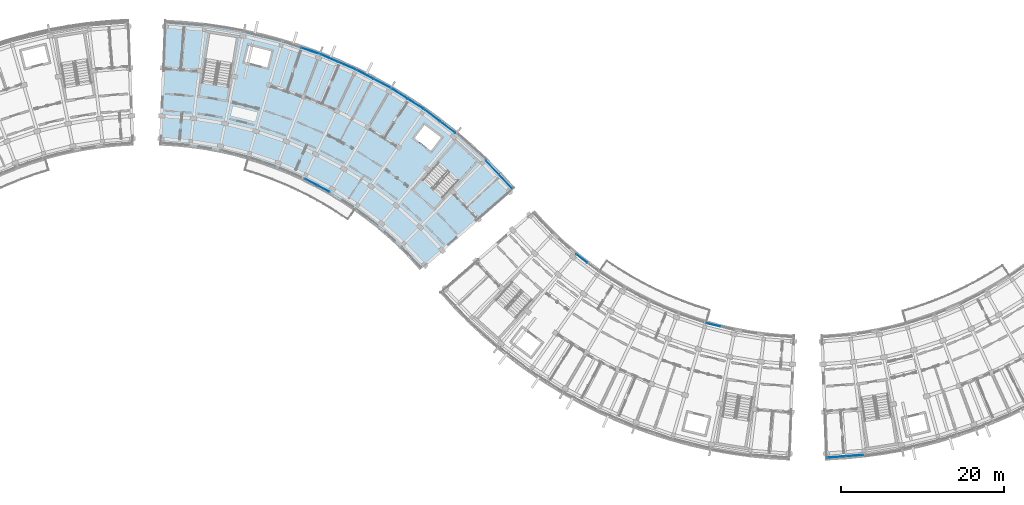
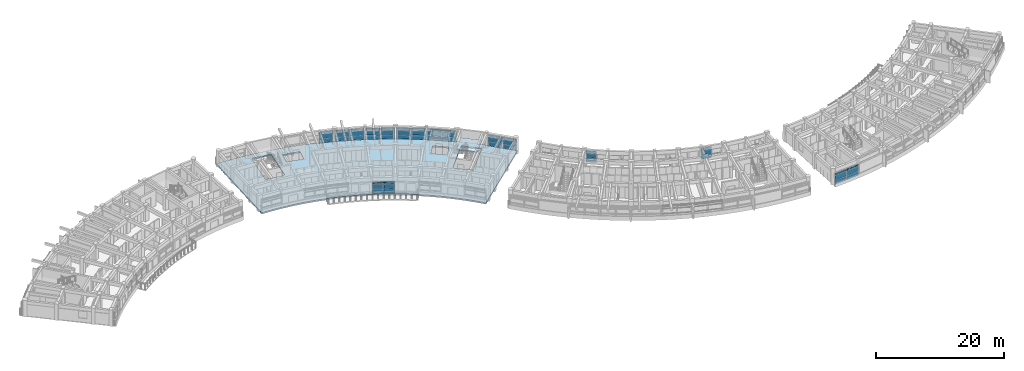
# One storey, part 24 of 56: 51 plates, 2 slabs, 11 elements without a shape of their own.
"""IFC4 building model written with IfcOpenShell, lengths in metres."""

import ifcopenshell
import ifcopenshell.guid

model = None  # the IFC model being written
_history = None  # IfcOwnerHistory: only IFC2X3 demands one
_inside = {}  # id of a spatial element -> (the spatial element, [elements in it])
_under = {}  # id of a project, library or spatial element -> (it, [spatial elements below it])
_declared = {}  # id of a project -> (the project, [libraries it declares])
_typed = {}  # id of a type object -> (the type object, [elements of that type])
_made_of = {}  # id of a material, layer set ... -> (it, [elements and type objects made of it])


def new_model(schema):
    """Start an empty IFC model of exactly this schema.

    Asked for "IFC4X3", IfcOpenShell would pick the latest addendum, in which some entities
    have other attributes; the version numbers below select the first issue.
    IFC2X3 requires an IfcOwnerHistory on every rooted entity: one is made here for all.
    """
    global model, _history
    if schema == "IFC4X3":
        model = ifcopenshell.file(schema_version=(4, 3, 0, 0))
    else:
        model = ifcopenshell.file(schema=schema)
    _inside.clear()
    _under.clear()
    _declared.clear()
    _typed.clear()
    _made_of.clear()
    _history = None
    if model.schema == "IFC2X3":
        org = make("IfcOrganization", Name="unknown")
        user = make(
            "IfcPersonAndOrganization",
            ThePerson=make("IfcPerson", FamilyName="unknown"),
            TheOrganization=org,
        )
        app = make(
            "IfcApplication",
            ApplicationDeveloper=org,
            Version="unknown",
            ApplicationFullName="unknown",
            ApplicationIdentifier="unknown",
        )
        _history = make(
            "IfcOwnerHistory",
            OwningUser=user,
            OwningApplication=app,
            ChangeAction="ADDED",
            CreationDate=0,
        )
    return model


def make(cls, **values):
    """One entity of the class cls with the attributes given. An attribute that is None is left unset."""
    return model.create_entity(
        cls, **{name: value for name, value in values.items() if value is not None}
    )


def rooted(cls, **values):
    """An entity with a GlobalId (a new one), such as an element, a storey or a relation."""
    return make(cls, GlobalId=ifcopenshell.guid.new(), OwnerHistory=_history, **values)


def si_unit(unit_type, name, prefix=None):
    """IfcSIUnit, for example si_unit("LENGTHUNIT", "METRE", prefix="MILLI")."""
    return make("IfcSIUnit", UnitType=unit_type, Prefix=prefix, Name=name)


def assignment(units):
    """IfcUnitAssignment: the units of a project."""
    return None if units is None else make("IfcUnitAssignment", Units=units)


def point(xyz):
    """IfcCartesianPoint."""
    return None if xyz is None else make("IfcCartesianPoint", Coordinates=xyz)


def direction(xyz):
    """IfcDirection."""
    return None if xyz is None else make("IfcDirection", DirectionRatios=xyz)


def frame(location, z_axis=None, x_axis=None):
    """IfcAxis2Placement3D, a coordinate frame: its origin and axes. An axis left out is left unset."""
    return make(
        "IfcAxis2Placement3D",
        Location=point(location),
        Axis=direction(z_axis),
        RefDirection=direction(x_axis),
    )


def frame_2d(location, x_axis=None):
    """IfcAxis2Placement2D, a coordinate frame in the plane: its origin and x axis."""
    return make(
        "IfcAxis2Placement2D", Location=point(location), RefDirection=direction(x_axis)
    )


def origin():
    """The frame at (0, 0, 0) with its axes left unset."""
    return frame((0.0, 0.0, 0.0))


def origin_2d():
    """The frame at (0, 0) in the plane with its x axis left unset."""
    return frame_2d((0.0, 0.0))


def place(relative_to, where):
    """IfcLocalPlacement: puts the frame where relative to a parent placement (None: the world)."""
    return make(
        "IfcLocalPlacement", PlacementRelTo=relative_to, RelativePlacement=where
    )


def context(
    kind, dimensions, precision=None, world=None, true_north=None, identifier=None
):
    """IfcGeometricRepresentationContext, for example the 3D "Model" context."""
    return make(
        "IfcGeometricRepresentationContext",
        ContextIdentifier=identifier,
        ContextType=kind,
        CoordinateSpaceDimension=dimensions,
        Precision=precision,
        WorldCoordinateSystem=world,
        TrueNorth=true_north,
    )


def subcontext(parent, identifier, kind, view, scale=None):
    """IfcGeometricRepresentationSubContext, for example "Body" below "Model"."""
    return make(
        "IfcGeometricRepresentationSubContext",
        ContextIdentifier=identifier,
        ContextType=kind,
        ParentContext=parent,
        TargetScale=scale,
        TargetView=view,
    )


def project(units=None, contexts=None):
    """IfcProject with its units and contexts."""
    return rooted(
        "IfcProject",
        Name="project",
        RepresentationContexts=contexts,
        UnitsInContext=assignment(units),
    )


def spatial(cls, under=None, at=None, **own):
    """A site, building, storey or space (cls), placed at a placement, below another one or the project."""
    s = rooted(cls, ObjectPlacement=at, **own)
    if under is not None:
        _under.setdefault(under.id(), (under, []))[1].append(s)
    return s


def polyline(points):
    """IfcPolyline through the points."""
    return make("IfcPolyline", Points=[point(p) for p in points])


def profile(cls, at=None, kind="AREA", **sizes):
    """A parametric profile (cls). Its sizes go by their IFC names, for example OverallWidth=200.0."""
    return make(cls, ProfileType=kind, Position=at, **sizes)


def rectangle(**sizes):
    """IfcRectangleProfileDef."""
    return profile("IfcRectangleProfileDef", **sizes)


def outline(outer, holes=None, kind="AREA"):
    """IfcArbitraryClosedProfileDef: a profile drawn as a closed curve; with holes, ...WithVoids."""
    if holes is None:
        return make("IfcArbitraryClosedProfileDef", ProfileType=kind, OuterCurve=outer)
    return make(
        "IfcArbitraryProfileDefWithVoids",
        ProfileType=kind,
        OuterCurve=outer,
        InnerCurves=holes,
    )


def extrude(swept, where, along, depth):
    """IfcExtrudedAreaSolid: the profile swept, set in the frame where, extruded along a direction by depth."""
    return make(
        "IfcExtrudedAreaSolid",
        SweptArea=swept,
        Position=where,
        ExtrudedDirection=direction(along),
        Depth=depth,
    )


def shape(context_of_items, identifier, shape_type, items):
    """IfcShapeRepresentation: the items that make up one representation, for example the "Body"."""
    return make(
        "IfcShapeRepresentation",
        ContextOfItems=context_of_items,
        RepresentationIdentifier=identifier,
        RepresentationType=shape_type,
        Items=items,
    )


def material(Name=None, Category=None):
    """IfcMaterial."""
    return make("IfcMaterial", Name=Name, Category=Category)


def layer(
    of_material, thickness, ventilated=None, Name=None, Category=None, Priority=None
):
    """IfcMaterialLayer: one layer of a wall or slab, of a material (None: an air gap)."""
    return make(
        "IfcMaterialLayer",
        Material=of_material,
        LayerThickness=thickness,
        IsVentilated=ventilated,
        Name=Name,
        Category=Category,
        Priority=Priority,
    )


def layer_set(layers, Name=None):
    """IfcMaterialLayerSet."""
    return make("IfcMaterialLayerSet", MaterialLayers=layers, LayerSetName=Name)


def made_of(thing, what):
    """Note that an element or type object is made of a material, layer set ...; save() writes the relation."""
    if what is not None:
        _made_of.setdefault(what.id(), (what, []))[1].append(thing)
    return thing


def type_object(cls, material=None, **own):
    """A type object (cls), such as IfcWallType, which elements share."""
    return made_of(rooted(cls, **own), material)


def element(
    cls,
    number,
    at=None,
    inside=None,
    cuts=None,
    type_object=None,
    material=None,
    context=None,
    identifier="Body",
    shape_type=None,
    held_by="IfcProductDefinitionShape",
    body=None,
    shapes=None,
    **own,
):
    """One element of the class cls, such as IfcWall. Its Tag is "e" and its number.

    at: its placement. inside: the storey or other place that contains it. cuts: it is an
    opening in that element (IfcRelVoidsElement). A single representation is given by context,
    identifier, shape_type and body (its items); several are given by shapes. held_by: the class
    of the entity that holds the representations. save() writes the other relations.
    """
    e = rooted(cls, Tag="e%d" % number, ObjectPlacement=at, **own)
    if body is not None:
        shapes = [shape(context, identifier, shape_type, body)]
    if shapes is not None:
        e.Representation = make(held_by, Representations=shapes)
    if inside is not None:
        _inside.setdefault(inside.id(), (inside, []))[1].append(e)
    if cuts is not None:
        rooted(
            "IfcRelVoidsElement", RelatingBuildingElement=cuts, RelatedOpeningElement=e
        )
    if type_object is not None:
        _typed.setdefault(type_object.id(), (type_object, []))[1].append(e)
    return made_of(e, material)


def aggregate(whole, parts):
    """IfcRelAggregates: a whole, such as a stair, and the parts it consists of."""
    return rooted("IfcRelAggregates", RelatingObject=whole, RelatedObjects=parts)


def save(model, path):
    """Write the relations noted so far, then the file.

    IfcRelAggregates (storeys below a building ...), IfcRelContainedInSpatialStructure (elements
    in a storey), IfcRelDefinesByType, IfcRelAssociatesMaterial and IfcRelDeclares: one each for
    every whole, place, type object, material and project.
    """
    for whole, parts in _under.values():
        aggregate(whole, parts)
    for where, things in _inside.values():
        rooted(
            "IfcRelContainedInSpatialStructure",
            RelatedElements=things,
            RelatingStructure=where,
        )
    for kind, things in _typed.values():
        rooted("IfcRelDefinesByType", RelatedObjects=things, RelatingType=kind)
    for what, things in _made_of.values():
        rooted("IfcRelAssociatesMaterial", RelatedObjects=things, RelatingMaterial=what)
    for by, libraries in _declared.values():
        rooted("IfcRelDeclares", RelatingContext=by, RelatedDefinitions=libraries)
    model.write(path)


model = new_model("IFC4")

# Units and contexts
model_context = context("Model", 3, precision=1e-05, world=origin(), true_north=direction((0.0, 1.0)))
body_context = subcontext(model_context, "Body", "Model", "MODEL_VIEW")
ifc_project = project(units=[si_unit("LENGTHUNIT", "METRE"), si_unit("AREAUNIT", "SQUARE_METRE"), si_unit("VOLUMEUNIT", "CUBIC_METRE"), si_unit("PLANEANGLEUNIT", "RADIAN"), si_unit("MASSUNIT", "GRAM", prefix="KILO")], contexts=[model_context])

# Site, building, storey
site_placement = place(None, origin())
site = spatial("IfcSite", under=ifc_project, at=site_placement, CompositionType="ELEMENT")
building_placement = place(site_placement, origin())
building = spatial("IfcBuilding", under=site, at=building_placement, Name="Zimvara Arc Housing Community", CompositionType="ELEMENT")
storey_placement = place(building_placement, frame((0.0, 0.0, 17.39990234375)))
storey = spatial("IfcBuildingStorey", under=building, at=storey_placement, Name="L05", CompositionType="ELEMENT", Elevation=17.39990234375)

# Curtain wall, plates
ifc_material_1 = material(Name="Anodised Aluminium AW-6063", Category="aluminium")
curtain_wall_type_1 = type_object("IfcCurtainWallType", Name="CW-SYS-04", PredefinedType="USERDEFINED", material=ifc_material_1)
curtain_wall_1_placement = place(storey_placement, origin())
curtain_wall_1 = element("IfcCurtainWall", 1, at=curtain_wall_1_placement, inside=storey, type_object=curtain_wall_type_1, Name="cw:blkB:L05:out:b6", ObjectType="CURTAIN WALL", PredefinedType="USERDEFINED")
ifc_material_2 = material(Name="Pale-Gold Anodised Aluminium Spandrel Panel", Category="aluminium")
ifc_layer_1 = layer(ifc_material_2, 0.035888671875)
ifc_layer_set_1 = layer_set([ifc_layer_1], Name="Pale-Gold Anodised Aluminium Spandrel Panel")
plate_type_1 = type_object("IfcPlateType", Name="CWP-GLD-36", PredefinedType="CURTAIN_PANEL", material=ifc_layer_set_1)
plate_1_placement = place(storey_placement, frame((76.0009765625, 95.1005859375, 0.065185546875), z_axis=(0.0, 0.0, 1.0), x_axis=(0.842264410931, -0.539064617721, 0.0)))
plate_1 = element("IfcPlate", 2, at=plate_1_placement, type_object=plate_type_1, Name="CW04 panel 1.1", PredefinedType="CURTAIN_PANEL", context=body_context, shape_type="SweptSolid", body=[
    extrude(rectangle(XDim=2.266845703125, YDim=0.035888671875, at=origin_2d()), origin(), (0.0, 0.0, 1.0), 0.75244140625),
])
plate_2_placement = place(storey_placement, frame((76.0009765625, 95.1005859375, 0.8828125), z_axis=(0.0, 0.0, 1.0), x_axis=(0.842264410931, -0.539064617721, 0.0)))
plate_2 = element("IfcPlate", 3, at=plate_2_placement, type_object=plate_type_1, Name="CW04 panel 1.2", PredefinedType="CURTAIN_PANEL", context=body_context, shape_type="SweptSolid", body=[
    extrude(rectangle(XDim=2.266845703125, YDim=0.035888671875, at=origin_2d()), origin(), (0.0, 0.0, 1.0), 0.885009765625),
])
plate_3_placement = place(storey_placement, frame((76.0009765625, 95.1005859375, 1.83251953125), z_axis=(0.0, 0.0, 1.0), x_axis=(0.842264410931, -0.539064617721, 0.0)))
plate_3 = element("IfcPlate", 4, at=plate_3_placement, type_object=plate_type_1, Name="CW04 panel 1.3", PredefinedType="CURTAIN_PANEL", context=body_context, shape_type="SweptSolid", body=[
    extrude(rectangle(XDim=2.266845703125, YDim=0.035888671875, at=origin_2d()), origin(), (0.0, 0.0, 1.0), 0.3525390625),
])
plate_4_placement = place(storey_placement, frame((77.965087890625, 93.843505859375, 0.065185546875), z_axis=(0.0, 0.0, 1.0), x_axis=(0.842264410931, -0.539064617721, 0.0)))
plate_4 = element("IfcPlate", 5, at=plate_4_placement, type_object=plate_type_1, Name="CW04 panel 2.1", PredefinedType="CURTAIN_PANEL", context=body_context, shape_type="SweptSolid", body=[
    extrude(rectangle(XDim=2.266845703125, YDim=0.035888671875, at=origin_2d()), origin(), (0.0, 0.0, 1.0), 0.75244140625),
])
plate_5_placement = place(storey_placement, frame((77.965087890625, 93.843505859375, 0.8828125), z_axis=(0.0, 0.0, 1.0), x_axis=(0.842264410931, -0.539064617721, 0.0)))
plate_5 = element("IfcPlate", 6, at=plate_5_placement, type_object=plate_type_1, Name="CW04 panel 2.2", PredefinedType="CURTAIN_PANEL", context=body_context, shape_type="SweptSolid", body=[
    extrude(rectangle(XDim=2.266845703125, YDim=0.035888671875, at=origin_2d()), origin(), (0.0, 0.0, 1.0), 0.885009765625),
])
plate_6_placement = place(storey_placement, frame((77.965087890625, 93.843505859375, 1.83251953125), z_axis=(0.0, 0.0, 1.0), x_axis=(0.842264410931, -0.539064617721, 0.0)))
plate_6 = element("IfcPlate", 7, at=plate_6_placement, type_object=plate_type_1, Name="CW04 panel 2.3", PredefinedType="CURTAIN_PANEL", context=body_context, shape_type="SweptSolid", body=[
    extrude(rectangle(XDim=2.266845703125, YDim=0.035888671875, at=origin_2d()), origin(), (0.0, 0.0, 1.0), 0.3525390625),
])
aggregate(curtain_wall_1, [plate_1, plate_2, plate_3, plate_4, plate_5, plate_6])

ifc_material_3 = material(Name="Anodised Aluminium AW-6063", Category="aluminium")
curtain_wall_type_2 = type_object("IfcCurtainWallType", Name="CW-SYS-01", PredefinedType="USERDEFINED", material=ifc_material_3)
curtain_wall_2_placement = place(storey_placement, origin())
curtain_wall_2 = element("IfcCurtainWall", 8, at=curtain_wall_2_placement, inside=storey, type_object=curtain_wall_type_2, Name="cw:blkB:L05:out:b4", ObjectType="CURTAIN WALL", PredefinedType="USERDEFINED")
ifc_material_4 = material(Name="Solar Control Low-E Double Glazing", Category="glass")
ifc_layer_2 = layer(ifc_material_4, 0.02392578125)
ifc_layer_set_2 = layer_set([ifc_layer_2], Name="Solar Control Low-E Double Glazing")
plate_type_2 = type_object("IfcPlateType", Name="CWP-GLZ-24", PredefinedType="CURTAIN_PANEL", material=ifc_layer_set_2)
plate_7_placement = place(storey_placement, frame((67.358642578125, 99.46875, 0.065185546875), z_axis=(0.0, 0.0, 1.0), x_axis=(0.918722299363, -0.394904211998, 0.0)))
plate_7 = element("IfcPlate", 9, at=plate_7_placement, type_object=plate_type_2, Name="CW01 panel 1.1", PredefinedType="CURTAIN_PANEL", context=body_context, shape_type="SweptSolid", body=[
    extrude(rectangle(XDim=2.266845703125, YDim=0.02392578125, at=origin_2d()), origin(), (0.0, 0.0, 1.0), 0.75244140625),
])
plate_8_placement = place(storey_placement, frame((67.358642578125, 99.46875, 0.8828125), z_axis=(0.0, 0.0, 1.0), x_axis=(0.918722299363, -0.394904211998, 0.0)))
plate_8 = element("IfcPlate", 10, at=plate_8_placement, type_object=plate_type_2, Name="CW01 panel 1.2", PredefinedType="CURTAIN_PANEL", context=body_context, shape_type="SweptSolid", body=[
    extrude(rectangle(XDim=2.266845703125, YDim=0.02392578125, at=origin_2d()), origin(), (0.0, 0.0, 1.0), 0.885009765625),
])
plate_9_placement = place(storey_placement, frame((67.358642578125, 99.46875, 1.83251953125), z_axis=(0.0, 0.0, 1.0), x_axis=(0.918722299363, -0.394904211998, 0.0)))
plate_9 = element("IfcPlate", 11, at=plate_9_placement, type_object=plate_type_2, Name="CW01 panel 1.3", PredefinedType="CURTAIN_PANEL", context=body_context, shape_type="SweptSolid", body=[
    extrude(rectangle(XDim=2.266845703125, YDim=0.02392578125, at=origin_2d()), origin(), (0.0, 0.0, 1.0), 0.3525390625),
])
plate_10_placement = place(storey_placement, frame((69.5009765625, 98.5478515625, 0.065185546875), z_axis=(0.0, 0.0, 1.0), x_axis=(0.918722299363, -0.394904211998, 0.0)))
plate_10 = element("IfcPlate", 12, at=plate_10_placement, type_object=plate_type_2, Name="CW01 panel 2.1", PredefinedType="CURTAIN_PANEL", context=body_context, shape_type="SweptSolid", body=[
    extrude(rectangle(XDim=2.266845703125, YDim=0.02392578125, at=origin_2d()), origin(), (0.0, 0.0, 1.0), 0.75244140625),
])
plate_11_placement = place(storey_placement, frame((69.5009765625, 98.5478515625, 0.8828125), z_axis=(0.0, 0.0, 1.0), x_axis=(0.918722299363, -0.394904211998, 0.0)))
plate_11 = element("IfcPlate", 13, at=plate_11_placement, type_object=plate_type_2, Name="CW01 panel 2.2", PredefinedType="CURTAIN_PANEL", context=body_context, shape_type="SweptSolid", body=[
    extrude(rectangle(XDim=2.266845703125, YDim=0.02392578125, at=origin_2d()), origin(), (0.0, 0.0, 1.0), 0.885009765625),
])
plate_12_placement = place(storey_placement, frame((69.5009765625, 98.5478515625, 1.83251953125), z_axis=(0.0, 0.0, 1.0), x_axis=(0.918722299363, -0.394904211998, 0.0)))
plate_12 = element("IfcPlate", 14, at=plate_12_placement, type_object=plate_type_2, Name="CW01 panel 2.3", PredefinedType="CURTAIN_PANEL", context=body_context, shape_type="SweptSolid", body=[
    extrude(rectangle(XDim=2.266845703125, YDim=0.02392578125, at=origin_2d()), origin(), (0.0, 0.0, 1.0), 0.3525390625),
])
aggregate(curtain_wall_2, [plate_7, plate_8, plate_9, plate_10, plate_11, plate_12])

ifc_material_5 = material(Name="Anodised Aluminium AW-6063", Category="aluminium")
curtain_wall_type_3 = type_object("IfcCurtainWallType", Name="CW-SYS-05", PredefinedType="USERDEFINED", material=ifc_material_5)
curtain_wall_3_placement = place(storey_placement, origin())
curtain_wall_3 = element("IfcCurtainWall", 15, at=curtain_wall_3_placement, inside=storey, type_object=curtain_wall_type_3, Name="cw:blkB:L05:out:b7", ObjectType="CURTAIN WALL", PredefinedType="USERDEFINED")
plate_13_placement = place(storey_placement, frame((80.026123046875, 92.40234375, 0.065185546875), z_axis=(0.0, 0.0, 1.0), x_axis=(0.795473999177, -0.60598771987, 0.0)))
plate_13 = element("IfcPlate", 16, at=plate_13_placement, type_object=plate_type_2, Name="CW05 panel 1.1", PredefinedType="CURTAIN_PANEL", context=body_context, shape_type="SweptSolid", body=[
    extrude(rectangle(XDim=2.266845703125, YDim=0.02392578125, at=origin_2d()), origin(), (0.0, 0.0, 1.0), 0.75244140625),
])
plate_14_placement = place(storey_placement, frame((80.026123046875, 92.40234375, 0.8828125), z_axis=(0.0, 0.0, 1.0), x_axis=(0.795473999177, -0.60598771987, 0.0)))
plate_14 = element("IfcPlate", 17, at=plate_14_placement, type_object=plate_type_2, Name="CW05 panel 1.2", PredefinedType="CURTAIN_PANEL", context=body_context, shape_type="SweptSolid", body=[
    extrude(rectangle(XDim=2.266845703125, YDim=0.02392578125, at=origin_2d()), origin(), (0.0, 0.0, 1.0), 0.885009765625),
])
plate_15_placement = place(storey_placement, frame((80.026123046875, 92.40234375, 1.83251953125), z_axis=(0.0, 0.0, 1.0), x_axis=(0.795473999177, -0.60598771987, 0.0)))
plate_15 = element("IfcPlate", 18, at=plate_15_placement, type_object=plate_type_2, Name="CW05 panel 1.3", PredefinedType="CURTAIN_PANEL", context=body_context, shape_type="SweptSolid", body=[
    extrude(rectangle(XDim=2.266845703125, YDim=0.02392578125, at=origin_2d()), origin(), (0.0, 0.0, 1.0), 0.3525390625),
])
plate_16_placement = place(storey_placement, frame((81.881103515625, 90.9892578125, 0.065185546875), z_axis=(0.0, 0.0, 1.0), x_axis=(0.795473999177, -0.60598771987, 0.0)))
plate_16 = element("IfcPlate", 19, at=plate_16_placement, type_object=plate_type_2, Name="CW05 panel 2.1", PredefinedType="CURTAIN_PANEL", context=body_context, shape_type="SweptSolid", body=[
    extrude(rectangle(XDim=2.266845703125, YDim=0.02392578125, at=origin_2d()), origin(), (0.0, 0.0, 1.0), 0.75244140625),
])
plate_17_placement = place(storey_placement, frame((81.881103515625, 90.9892578125, 0.8828125), z_axis=(0.0, 0.0, 1.0), x_axis=(0.795473999177, -0.60598771987, 0.0)))
plate_17 = element("IfcPlate", 20, at=plate_17_placement, type_object=plate_type_2, Name="CW05 panel 2.2", PredefinedType="CURTAIN_PANEL", context=body_context, shape_type="SweptSolid", body=[
    extrude(rectangle(XDim=2.266845703125, YDim=0.02392578125, at=origin_2d()), origin(), (0.0, 0.0, 1.0), 0.885009765625),
])
plate_18_placement = place(storey_placement, frame((81.881103515625, 90.9892578125, 1.83251953125), z_axis=(0.0, 0.0, 1.0), x_axis=(0.795473999177, -0.60598771987, 0.0)))
plate_18 = element("IfcPlate", 21, at=plate_18_placement, type_object=plate_type_2, Name="CW05 panel 2.3", PredefinedType="CURTAIN_PANEL", context=body_context, shape_type="SweptSolid", body=[
    extrude(rectangle(XDim=2.266845703125, YDim=0.02392578125, at=origin_2d()), origin(), (0.0, 0.0, 1.0), 0.3525390625),
])
aggregate(curtain_wall_3, [plate_13, plate_14, plate_15, plate_16, plate_17, plate_18])

ifc_material_6 = material(Name="Anodised Aluminium AW-6063", Category="aluminium")
curtain_wall_type_4 = type_object("IfcCurtainWallType", Name="CW-SYS-02", PredefinedType="USERDEFINED", material=ifc_material_6)
curtain_wall_4_placement = place(storey_placement, origin())
curtain_wall_4 = element("IfcCurtainWall", 22, at=curtain_wall_4_placement, inside=storey, type_object=curtain_wall_type_4, Name="cw:blkB:L05:out:b5", ObjectType="CURTAIN WALL", PredefinedType="USERDEFINED")
ifc_material_7 = material(Name="Solar Control Low-E Double Glazing", Category="glass")
ifc_layer_3 = layer(ifc_material_7, 0.028076171875)
ifc_layer_set_3 = layer_set([ifc_layer_3], Name="Solar Control Low-E Double Glazing")
plate_type_3 = type_object("IfcPlateType", Name="CWP-GLZ-28", PredefinedType="CURTAIN_PANEL", material=ifc_layer_set_3)
plate_19_placement = place(storey_placement, frame((71.76904296875, 97.461181640625, 0.065185546875), z_axis=(0.0, 0.0, 1.0), x_axis=(0.883438614651, -0.468546917761, 0.0)))
plate_19 = element("IfcPlate", 23, at=plate_19_placement, type_object=plate_type_3, Name="CW02 panel 1.1", PredefinedType="CURTAIN_PANEL", context=body_context, shape_type="SweptSolid", body=[
    extrude(rectangle(XDim=2.266845703125, YDim=0.028076171875, at=origin_2d()), origin(), (0.0, 0.0, 1.0), 0.75244140625),
])
plate_20_placement = place(storey_placement, frame((71.76904296875, 97.461181640625, 0.8828125), z_axis=(0.0, 0.0, 1.0), x_axis=(0.883438614651, -0.468546917761, 0.0)))
plate_20 = element("IfcPlate", 24, at=plate_20_placement, type_object=plate_type_3, Name="CW02 panel 1.2", PredefinedType="CURTAIN_PANEL", context=body_context, shape_type="SweptSolid", body=[
    extrude(rectangle(XDim=2.266845703125, YDim=0.028076171875, at=origin_2d()), origin(), (0.0, 0.0, 1.0), 0.885009765625),
])
plate_21_placement = place(storey_placement, frame((71.76904296875, 97.461181640625, 1.83251953125), z_axis=(0.0, 0.0, 1.0), x_axis=(0.883438614651, -0.468546917761, 0.0)))
plate_21 = element("IfcPlate", 25, at=plate_21_placement, type_object=plate_type_3, Name="CW02 panel 1.3", PredefinedType="CURTAIN_PANEL", context=body_context, shape_type="SweptSolid", body=[
    extrude(rectangle(XDim=2.266845703125, YDim=0.028076171875, at=origin_2d()), origin(), (0.0, 0.0, 1.0), 0.3525390625),
])
plate_22_placement = place(storey_placement, frame((73.8291015625, 96.36865234375, 0.065185546875), z_axis=(0.0, 0.0, 1.0), x_axis=(0.883438614651, -0.468546917761, 0.0)))
plate_22 = element("IfcPlate", 26, at=plate_22_placement, type_object=plate_type_3, Name="CW02 panel 2.1", PredefinedType="CURTAIN_PANEL", context=body_context, shape_type="SweptSolid", body=[
    extrude(rectangle(XDim=2.266845703125, YDim=0.028076171875, at=origin_2d()), origin(), (0.0, 0.0, 1.0), 0.75244140625),
])
plate_23_placement = place(storey_placement, frame((73.8291015625, 96.36865234375, 0.8828125), z_axis=(0.0, 0.0, 1.0), x_axis=(0.883438614651, -0.468546917761, 0.0)))
plate_23 = element("IfcPlate", 27, at=plate_23_placement, type_object=plate_type_3, Name="CW02 panel 2.2", PredefinedType="CURTAIN_PANEL", context=body_context, shape_type="SweptSolid", body=[
    extrude(rectangle(XDim=2.266845703125, YDim=0.028076171875, at=origin_2d()), origin(), (0.0, 0.0, 1.0), 0.885009765625),
])
plate_24_placement = place(storey_placement, frame((73.8291015625, 96.36865234375, 1.83251953125), z_axis=(0.0, 0.0, 1.0), x_axis=(0.883438614651, -0.468546917761, 0.0)))
plate_24 = element("IfcPlate", 28, at=plate_24_placement, type_object=plate_type_3, Name="CW02 panel 2.3", PredefinedType="CURTAIN_PANEL", context=body_context, shape_type="SweptSolid", body=[
    extrude(rectangle(XDim=2.266845703125, YDim=0.028076171875, at=origin_2d()), origin(), (0.0, 0.0, 1.0), 0.3525390625),
])
aggregate(curtain_wall_4, [plate_19, plate_20, plate_21, plate_22, plate_23, plate_24])

curtain_wall_5_placement = place(storey_placement, origin())
curtain_wall_5 = element("IfcCurtainWall", 29, at=curtain_wall_5_placement, inside=storey, type_object=curtain_wall_type_4, Name="cw:blkC:L05:in:b2", ObjectType="CURTAIN WALL", PredefinedType="USERDEFINED")
plate_25_placement = place(storey_placement, frame((98.275634765625, 74.91943359375, 0.065185546875), z_axis=(0.0, 0.0, 1.0), x_axis=(0.795473543119, -0.605988318533, 0.0)))
plate_25 = element("IfcPlate", 30, at=plate_25_placement, type_object=plate_type_3, Name="CW02 panel 1.1", PredefinedType="CURTAIN_PANEL", context=body_context, shape_type="SweptSolid", body=[
    extrude(rectangle(XDim=1.664306640625, YDim=0.028076171875, at=origin_2d()), origin(), (0.0, 0.0, 1.0), 0.75244140625),
])
plate_26_placement = place(storey_placement, frame((98.275634765625, 74.91943359375, 0.8828125), z_axis=(0.0, 0.0, 1.0), x_axis=(0.795473543119, -0.605988318533, 0.0)))
plate_26 = element("IfcPlate", 31, at=plate_26_placement, type_object=plate_type_3, Name="CW02 panel 1.2", PredefinedType="CURTAIN_PANEL", context=body_context, shape_type="SweptSolid", body=[
    extrude(rectangle(XDim=1.664306640625, YDim=0.028076171875, at=origin_2d()), origin(), (0.0, 0.0, 1.0), 0.885009765625),
])
plate_27_placement = place(storey_placement, frame((98.275634765625, 74.91943359375, 1.83251953125), z_axis=(0.0, 0.0, 1.0), x_axis=(0.795473543119, -0.605988318533, 0.0)))
plate_27 = element("IfcPlate", 32, at=plate_27_placement, type_object=plate_type_3, Name="CW02 panel 1.3", PredefinedType="CURTAIN_PANEL", context=body_context, shape_type="SweptSolid", body=[
    extrude(rectangle(XDim=1.664306640625, YDim=0.028076171875, at=origin_2d()), origin(), (0.0, 0.0, 1.0), 0.3525390625),
])
aggregate(curtain_wall_5, [plate_25, plate_26, plate_27])

curtain_wall_6_placement = place(storey_placement, origin())
curtain_wall_6 = element("IfcCurtainWall", 33, at=curtain_wall_6_placement, inside=storey, type_object=curtain_wall_type_4, Name="cw:blkC:L05:in:b7", ObjectType="CURTAIN WALL", PredefinedType="USERDEFINED")
plate_28_placement = place(storey_placement, frame((114.4306640625, 66.79052734375, 0.065185546875), z_axis=(0.0, 0.0, 1.0), x_axis=(0.970716537698, -0.240227815706, 0.0)))
plate_28 = element("IfcPlate", 34, at=plate_28_placement, type_object=plate_type_3, Name="CW02 panel 1.1", PredefinedType="CURTAIN_PANEL", context=body_context, shape_type="SweptSolid", body=[
    extrude(rectangle(XDim=1.664306640625, YDim=0.028076171875, at=origin_2d()), origin(), (0.0, 0.0, 1.0), 0.75244140625),
])
plate_29_placement = place(storey_placement, frame((114.4306640625, 66.79052734375, 0.8828125), z_axis=(0.0, 0.0, 1.0), x_axis=(0.970716537698, -0.240227815706, 0.0)))
plate_29 = element("IfcPlate", 35, at=plate_29_placement, type_object=plate_type_3, Name="CW02 panel 1.2", PredefinedType="CURTAIN_PANEL", context=body_context, shape_type="SweptSolid", body=[
    extrude(rectangle(XDim=1.664306640625, YDim=0.028076171875, at=origin_2d()), origin(), (0.0, 0.0, 1.0), 0.885009765625),
])
plate_30_placement = place(storey_placement, frame((114.4306640625, 66.79052734375, 1.83251953125), z_axis=(0.0, 0.0, 1.0), x_axis=(0.970716537698, -0.240227815706, 0.0)))
plate_30 = element("IfcPlate", 36, at=plate_30_placement, type_object=plate_type_3, Name="CW02 panel 1.3", PredefinedType="CURTAIN_PANEL", context=body_context, shape_type="SweptSolid", body=[
    extrude(rectangle(XDim=1.664306640625, YDim=0.028076171875, at=origin_2d()), origin(), (0.0, 0.0, 1.0), 0.3525390625),
])
aggregate(curtain_wall_6, [plate_28, plate_29, plate_30])

ifc_material_8 = material(Name="Anodised Aluminium AW-6063", Category="aluminium")
curtain_wall_type_5 = type_object("IfcCurtainWallType", Name="CW-SYS-07", PredefinedType="USERDEFINED", material=ifc_material_8)
curtain_wall_7_placement = place(storey_placement, origin())
curtain_wall_7 = element("IfcCurtainWall", 37, at=curtain_wall_7_placement, inside=storey, type_object=curtain_wall_type_5, Name="cw:blkB:L05:out:b3", ObjectType="CURTAIN WALL", PredefinedType="USERDEFINED")
ifc_material_9 = material(Name="Acoustic Laminated Solar Glazing", Category="glass")
ifc_layer_4 = layer(ifc_material_9, 0.031982421875)
ifc_layer_set_4 = layer_set([ifc_layer_4], Name="Acoustic Laminated Solar Glazing")
plate_type_4 = type_object("IfcPlateType", Name="CWP-GLZ-32", PredefinedType="CURTAIN_PANEL", material=ifc_layer_set_4)
plate_31_placement = place(storey_placement, frame((65.009521484375, 100.36669921875, 0.065185546875), z_axis=(0.0, 0.0, 1.0), x_axis=(0.947879647164, -0.318628583921, 0.0)))
plate_31 = element("IfcPlate", 38, at=plate_31_placement, type_object=plate_type_4, Name="CW07 panel 2.1", PredefinedType="CURTAIN_PANEL", context=body_context, shape_type="SweptSolid", body=[
    extrude(rectangle(XDim=2.266845703125, YDim=0.031982421875, at=origin_2d()), origin(), (0.0, 0.0, 1.0), 0.75244140625),
])
plate_32_placement = place(storey_placement, frame((65.009521484375, 100.36669921875, 0.8828125), z_axis=(0.0, 0.0, 1.0), x_axis=(0.947879647164, -0.318628583921, 0.0)))
plate_32 = element("IfcPlate", 39, at=plate_32_placement, type_object=plate_type_4, Name="CW07 panel 2.2", PredefinedType="CURTAIN_PANEL", context=body_context, shape_type="SweptSolid", body=[
    extrude(rectangle(XDim=2.266845703125, YDim=0.031982421875, at=origin_2d()), origin(), (0.0, 0.0, 1.0), 0.885009765625),
])
plate_33_placement = place(storey_placement, frame((65.009521484375, 100.36669921875, 1.83251953125), z_axis=(0.0, 0.0, 1.0), x_axis=(0.947879647164, -0.318628583921, 0.0)))
plate_33 = element("IfcPlate", 40, at=plate_33_placement, type_object=plate_type_4, Name="CW07 panel 2.3", PredefinedType="CURTAIN_PANEL", context=body_context, shape_type="SweptSolid", body=[
    extrude(rectangle(XDim=2.266845703125, YDim=0.031982421875, at=origin_2d()), origin(), (0.0, 0.0, 1.0), 0.3525390625),
])
aggregate(curtain_wall_7, [plate_31, plate_32, plate_33])

ifc_material_10 = material(Name="Anodised Aluminium AW-6063", Category="aluminium")
curtain_wall_type_6 = type_object("IfcCurtainWallType", Name="CW-SYS-03", PredefinedType="USERDEFINED", material=ifc_material_10)
curtain_wall_8_placement = place(storey_placement, origin())
curtain_wall_8 = element("IfcCurtainWall", 41, at=curtain_wall_8_placement, inside=storey, type_object=curtain_wall_type_6, Name="cw:blkB:L05:in:b5", ObjectType="CURTAIN WALL", PredefinedType="USERDEFINED")
plate_34_placement = place(storey_placement, frame((65.125244140625, 84.291259765625, 0.065185546875), z_axis=(0.0, 0.0, 1.0), x_axis=(0.88343981815, -0.468544648573, 0.0)))
plate_34 = element("IfcPlate", 42, at=plate_34_placement, type_object=plate_type_4, Name="CW03 panel 1.1", PredefinedType="CURTAIN_PANEL", context=body_context, shape_type="SweptSolid", body=[
    extrude(rectangle(XDim=1.664306640625, YDim=0.031982421875, at=origin_2d()), origin(), (0.0, 0.0, 1.0), 0.75244140625),
])
plate_35_placement = place(storey_placement, frame((65.125244140625, 84.291259765625, 0.8828125), z_axis=(0.0, 0.0, 1.0), x_axis=(0.88343981815, -0.468544648573, 0.0)))
plate_35 = element("IfcPlate", 43, at=plate_35_placement, type_object=plate_type_4, Name="CW03 panel 1.2", PredefinedType="CURTAIN_PANEL", context=body_context, shape_type="SweptSolid", body=[
    extrude(rectangle(XDim=1.664306640625, YDim=0.031982421875, at=origin_2d()), origin(), (0.0, 0.0, 1.0), 0.885009765625),
])
plate_36_placement = place(storey_placement, frame((65.125244140625, 84.291259765625, 1.83251953125), z_axis=(0.0, 0.0, 1.0), x_axis=(0.88343981815, -0.468544648573, 0.0)))
plate_36 = element("IfcPlate", 44, at=plate_36_placement, type_object=plate_type_4, Name="CW03 panel 1.3", PredefinedType="CURTAIN_PANEL", context=body_context, shape_type="SweptSolid", body=[
    extrude(rectangle(XDim=1.664306640625, YDim=0.031982421875, at=origin_2d()), origin(), (0.0, 0.0, 1.0), 0.3525390625),
])
plate_37_placement = place(storey_placement, frame((66.653076171875, 83.48095703125, 0.065185546875), z_axis=(0.0, 0.0, 1.0), x_axis=(0.88343981815, -0.468544648573, 0.0)))
plate_37 = element("IfcPlate", 45, at=plate_37_placement, type_object=plate_type_4, Name="CW03 panel 2.1", PredefinedType="CURTAIN_PANEL", context=body_context, shape_type="SweptSolid", body=[
    extrude(rectangle(XDim=1.664306640625, YDim=0.031982421875, at=origin_2d()), origin(), (0.0, 0.0, 1.0), 0.75244140625),
])
plate_38_placement = place(storey_placement, frame((66.653076171875, 83.48095703125, 0.8828125), z_axis=(0.0, 0.0, 1.0), x_axis=(0.88343981815, -0.468544648573, 0.0)))
plate_38 = element("IfcPlate", 46, at=plate_38_placement, type_object=plate_type_4, Name="CW03 panel 2.2", PredefinedType="CURTAIN_PANEL", context=body_context, shape_type="SweptSolid", body=[
    extrude(rectangle(XDim=1.664306640625, YDim=0.031982421875, at=origin_2d()), origin(), (0.0, 0.0, 1.0), 0.885009765625),
])
plate_39_placement = place(storey_placement, frame((66.653076171875, 83.48095703125, 1.83251953125), z_axis=(0.0, 0.0, 1.0), x_axis=(0.88343981815, -0.468544648573, 0.0)))
plate_39 = element("IfcPlate", 47, at=plate_39_placement, type_object=plate_type_4, Name="CW03 panel 2.3", PredefinedType="CURTAIN_PANEL", context=body_context, shape_type="SweptSolid", body=[
    extrude(rectangle(XDim=1.664306640625, YDim=0.031982421875, at=origin_2d()), origin(), (0.0, 0.0, 1.0), 0.3525390625),
])
aggregate(curtain_wall_8, [plate_34, plate_35, plate_36, plate_37, plate_38, plate_39])

curtain_wall_9_placement = place(storey_placement, origin())
curtain_wall_9 = element("IfcCurtainWall", 48, at=curtain_wall_9_placement, inside=storey, type_object=curtain_wall_type_5, Name="cw:blkB:L05:out:b9", ObjectType="CURTAIN WALL", PredefinedType="USERDEFINED")
plate_40_placement = place(storey_placement, frame((87.350341796875, 86.068115234375, 0.065185546875), z_axis=(0.0, 0.0, 1.0), x_axis=(0.686326416495, -0.727293647725, 0.0)))
plate_40 = element("IfcPlate", 49, at=plate_40_placement, type_object=plate_type_4, Name="CW07 panel 1.1", PredefinedType="CURTAIN_PANEL", context=body_context, shape_type="SweptSolid", body=[
    extrude(rectangle(XDim=2.266845703125, YDim=0.031982421875, at=origin_2d()), origin(), (0.0, 0.0, 1.0), 0.75244140625),
])
plate_41_placement = place(storey_placement, frame((87.350341796875, 86.068115234375, 0.8828125), z_axis=(0.0, 0.0, 1.0), x_axis=(0.686326416495, -0.727293647725, 0.0)))
plate_41 = element("IfcPlate", 50, at=plate_41_placement, type_object=plate_type_4, Name="CW07 panel 1.2", PredefinedType="CURTAIN_PANEL", context=body_context, shape_type="SweptSolid", body=[
    extrude(rectangle(XDim=2.266845703125, YDim=0.031982421875, at=origin_2d()), origin(), (0.0, 0.0, 1.0), 0.885009765625),
])
plate_42_placement = place(storey_placement, frame((87.350341796875, 86.068115234375, 1.83251953125), z_axis=(0.0, 0.0, 1.0), x_axis=(0.686326416495, -0.727293647725, 0.0)))
plate_42 = element("IfcPlate", 51, at=plate_42_placement, type_object=plate_type_4, Name="CW07 panel 1.3", PredefinedType="CURTAIN_PANEL", context=body_context, shape_type="SweptSolid", body=[
    extrude(rectangle(XDim=2.266845703125, YDim=0.031982421875, at=origin_2d()), origin(), (0.0, 0.0, 1.0), 0.3525390625),
])
plate_43_placement = place(storey_placement, frame((88.950927734375, 84.3720703125, 0.065185546875), z_axis=(0.0, 0.0, 1.0), x_axis=(0.686326416495, -0.727293647725, 0.0)))
plate_43 = element("IfcPlate", 52, at=plate_43_placement, type_object=plate_type_4, Name="CW07 panel 2.1", PredefinedType="CURTAIN_PANEL", context=body_context, shape_type="SweptSolid", body=[
    extrude(rectangle(XDim=2.266845703125, YDim=0.031982421875, at=origin_2d()), origin(), (0.0, 0.0, 1.0), 0.75244140625),
])
plate_44_placement = place(storey_placement, frame((88.950927734375, 84.3720703125, 0.8828125), z_axis=(0.0, 0.0, 1.0), x_axis=(0.686326416495, -0.727293647725, 0.0)))
plate_44 = element("IfcPlate", 53, at=plate_44_placement, type_object=plate_type_4, Name="CW07 panel 2.2", PredefinedType="CURTAIN_PANEL", context=body_context, shape_type="SweptSolid", body=[
    extrude(rectangle(XDim=2.266845703125, YDim=0.031982421875, at=origin_2d()), origin(), (0.0, 0.0, 1.0), 0.885009765625),
])
plate_45_placement = place(storey_placement, frame((88.950927734375, 84.3720703125, 1.83251953125), z_axis=(0.0, 0.0, 1.0), x_axis=(0.686326416495, -0.727293647725, 0.0)))
plate_45 = element("IfcPlate", 54, at=plate_45_placement, type_object=plate_type_4, Name="CW07 panel 2.3", PredefinedType="CURTAIN_PANEL", context=body_context, shape_type="SweptSolid", body=[
    extrude(rectangle(XDim=2.266845703125, YDim=0.031982421875, at=origin_2d()), origin(), (0.0, 0.0, 1.0), 0.3525390625),
])
aggregate(curtain_wall_9, [plate_40, plate_41, plate_42, plate_43, plate_44, plate_45])

curtain_wall_10_placement = place(storey_placement, origin())
curtain_wall_10 = element("IfcCurtainWall", 55, at=curtain_wall_10_placement, inside=storey, type_object=curtain_wall_type_5, Name="cw:blkD:L05:out:b0", ObjectType="CURTAIN WALL", PredefinedType="USERDEFINED")
plate_46_placement = place(storey_placement, frame((129.4677734375, 50.61767578125, 0.065185546875), z_axis=(0.0, 0.0, 1.0), x_axis=(0.996985387849, 0.077589538059, 0.0)))
plate_46 = element("IfcPlate", 56, at=plate_46_placement, type_object=plate_type_4, Name="CW07 panel 1.1", PredefinedType="CURTAIN_PANEL", context=body_context, shape_type="SweptSolid", body=[
    extrude(rectangle(XDim=2.173828125, YDim=0.031982421875, at=origin_2d()), origin(), (0.0, 0.0, 1.0), 0.75244140625),
])
plate_47_placement = place(storey_placement, frame((129.4677734375, 50.61767578125, 0.8828125), z_axis=(0.0, 0.0, 1.0), x_axis=(0.996985387849, 0.077589538059, 0.0)))
plate_47 = element("IfcPlate", 57, at=plate_47_placement, type_object=plate_type_4, Name="CW07 panel 1.2", PredefinedType="CURTAIN_PANEL", context=body_context, shape_type="SweptSolid", body=[
    extrude(rectangle(XDim=2.173828125, YDim=0.031982421875, at=origin_2d()), origin(), (0.0, 0.0, 1.0), 0.885009765625),
])
plate_48_placement = place(storey_placement, frame((129.4677734375, 50.61767578125, 1.83251953125), z_axis=(0.0, 0.0, 1.0), x_axis=(0.996985387849, 0.077589538059, 0.0)))
plate_48 = element("IfcPlate", 58, at=plate_48_placement, type_object=plate_type_4, Name="CW07 panel 1.3", PredefinedType="CURTAIN_PANEL", context=body_context, shape_type="SweptSolid", body=[
    extrude(rectangle(XDim=2.173828125, YDim=0.031982421875, at=origin_2d()), origin(), (0.0, 0.0, 1.0), 0.3525390625),
])
plate_49_placement = place(storey_placement, frame((131.69970703125, 50.79150390625, 0.065185546875), z_axis=(0.0, 0.0, 1.0), x_axis=(0.996985387849, 0.077589538059, 0.0)))
plate_49 = element("IfcPlate", 59, at=plate_49_placement, type_object=plate_type_4, Name="CW07 panel 2.1", PredefinedType="CURTAIN_PANEL", context=body_context, shape_type="SweptSolid", body=[
    extrude(rectangle(XDim=2.173828125, YDim=0.031982421875, at=origin_2d()), origin(), (0.0, 0.0, 1.0), 0.75244140625),
])
plate_50_placement = place(storey_placement, frame((131.69970703125, 50.79150390625, 0.8828125), z_axis=(0.0, 0.0, 1.0), x_axis=(0.996985387849, 0.077589538059, 0.0)))
plate_50 = element("IfcPlate", 60, at=plate_50_placement, type_object=plate_type_4, Name="CW07 panel 2.2", PredefinedType="CURTAIN_PANEL", context=body_context, shape_type="SweptSolid", body=[
    extrude(rectangle(XDim=2.173828125, YDim=0.031982421875, at=origin_2d()), origin(), (0.0, 0.0, 1.0), 0.885009765625),
])
plate_51_placement = place(storey_placement, frame((131.69970703125, 50.79150390625, 1.83251953125), z_axis=(0.0, 0.0, 1.0), x_axis=(0.996985387849, 0.077589538059, 0.0)))
plate_51 = element("IfcPlate", 61, at=plate_51_placement, type_object=plate_type_4, Name="CW07 panel 2.3", PredefinedType="CURTAIN_PANEL", context=body_context, shape_type="SweptSolid", body=[
    extrude(rectangle(XDim=2.173828125, YDim=0.031982421875, at=origin_2d()), origin(), (0.0, 0.0, 1.0), 0.3525390625),
])
aggregate(curtain_wall_10, [plate_46, plate_47, plate_48, plate_49, plate_50, plate_51])

# Stair, slab
ifc_material_11 = material(Name="Concrete C35/45", Category="concrete")
stair_type = type_object("IfcStairType", Name="STR-DL-318-310", PredefinedType="HALF_TURN_STAIR", material=ifc_material_11)
stair_placement = place(storey_placement, origin())
stair = element("IfcStair", 62, at=stair_placement, inside=storey, type_object=stair_type, Name="L05 Block B Exit Stair 2", PredefinedType="HALF_TURN_STAIR")
ifc_material_12 = material(Name="Concrete C35/45", Category="concrete")
ifc_layer_5 = layer(ifc_material_12, 0.199951171875)
ifc_layer_set_5 = layer_set([ifc_layer_5], Name="Concrete C35/45")
slab_type_1 = type_object("IfcSlabType", Name="SLB-STAIR-LND-200", PredefinedType="LANDING", material=ifc_layer_set_5)
slab_1_placement = place(storey_placement, frame((0.0, 0.0, 1.35009765625)))
slab_1 = element("IfcSlab", 63, at=slab_1_placement, type_object=slab_type_1, Name="ST-B2 landing 1", PredefinedType="LANDING", context=body_context, shape_type="SweptSolid", body=[
    extrude(outline(polyline([(83.185302734375, 84.42724609375), (85.404541015625, 86.8935546875), (82.90673828125, 89.14111328125), (80.6875, 86.674560546875), (83.185302734375, 84.42724609375)])), origin(), (0.0, 0.0, 1.0), 0.199951171875),
])
aggregate(stair, [slab_1])

# Slab
ifc_material_13 = material(Name="Concrete C35/45", Category="concrete")
ifc_layer_6 = layer(ifc_material_13, 0.251953125)
ifc_layer_set_6 = layer_set([ifc_layer_6], Name="Concrete C35/45")
slab_type_2 = type_object("IfcSlabType", Name="SLB-VAR-09", PredefinedType="FLOOR", material=ifc_layer_set_6)
slab_2_placement = place(storey_placement, frame((0.0, 0.0, -0.251953125)))
element("IfcSlab", 64, at=slab_2_placement, inside=storey, type_object=slab_type_2, Name="slab:blkB:L05:main", PredefinedType="FLOOR", context=body_context, shape_type="SweptSolid", body=[
    extrude(outline(polyline([(46.704345703125, 88.8671875), (48.514404296875, 88.7607421875), (50.318603515625, 88.580322265625), (52.114013671875, 88.326416015625), (53.8974609375, 87.999267578125), (55.666015625, 87.599853515625), (57.4169921875, 87.12841796875), (59.147216796875, 86.5859375), (60.853759765625, 85.97314453125), (62.53369140625, 85.291259765625), (64.1845703125, 84.541259765625), (65.803466796875, 83.724609375), (67.3876953125, 82.842529296875), (68.9345703125, 81.896484375), (70.44140625, 80.88818359375), (71.90576171875, 79.819091796875), (73.325439453125, 78.69091796875), (74.697998046875, 77.506103515625), (76.020751953125, 76.265869140625), (77.291748046875, 74.972900390625), (78.509033203125, 73.62890625), (89.980712890625, 83.60107421875), (88.3466796875, 85.405029296875), (86.640380859375, 87.140869140625), (84.86474609375, 88.805419921875), (83.0224609375, 90.39599609375), (81.116943359375, 91.91015625), (79.151123046875, 93.34521484375), (77.128173828125, 94.698974609375), (75.052001953125, 95.96875), (72.92529296875, 97.15283203125), (70.752197265625, 98.249267578125), (68.536376953125, 99.255859375), (66.281005859375, 100.171142578125), (63.990234375, 100.99365234375), (61.667724609375, 101.721923828125), (59.317626953125, 102.354736328125), (56.943359375, 102.89111328125), (54.549560546875, 103.330078125), (52.139404296875, 103.6708984375), (49.717529296875, 103.9130859375), (47.287841796875, 104.05615234375), (46.704345703125, 88.8671875)]), holes=[polyline([(51.777099609375, 96.48583984375), (52.75439453125, 102.507080078125), (55.991943359375, 101.9814453125), (55.0146484375, 95.960205078125), (51.777099609375, 96.48583984375)]), polyline([(78.82958984375, 84.550048828125), (82.909912109375, 89.08447265625), (85.34814453125, 86.890625), (81.26806640625, 82.356201171875), (78.82958984375, 84.550048828125)]), polyline([(57.0263671875, 99.007080078125), (57.516357421875, 100.9873046875), (60.273193359375, 100.30517578125), (59.783203125, 98.324951171875), (57.0263671875, 99.007080078125)]), polyline([(77.803955078125, 89.656982421875), (79.0400390625, 91.27978515625), (81.060546875, 89.740478515625), (79.824462890625, 88.117919921875), (77.803955078125, 89.656982421875)])]), origin(), (0.0, 0.0, 1.0), 0.251953125),
])

save(model, "model.ifc")
